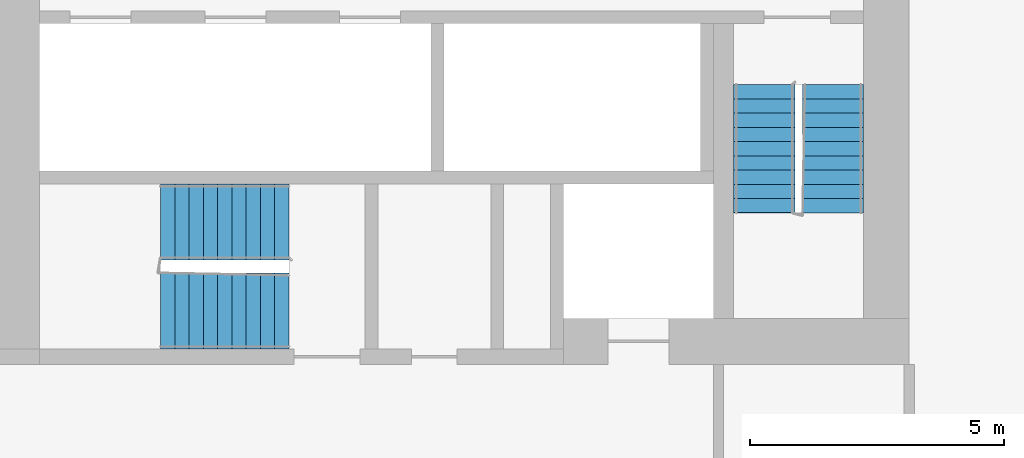
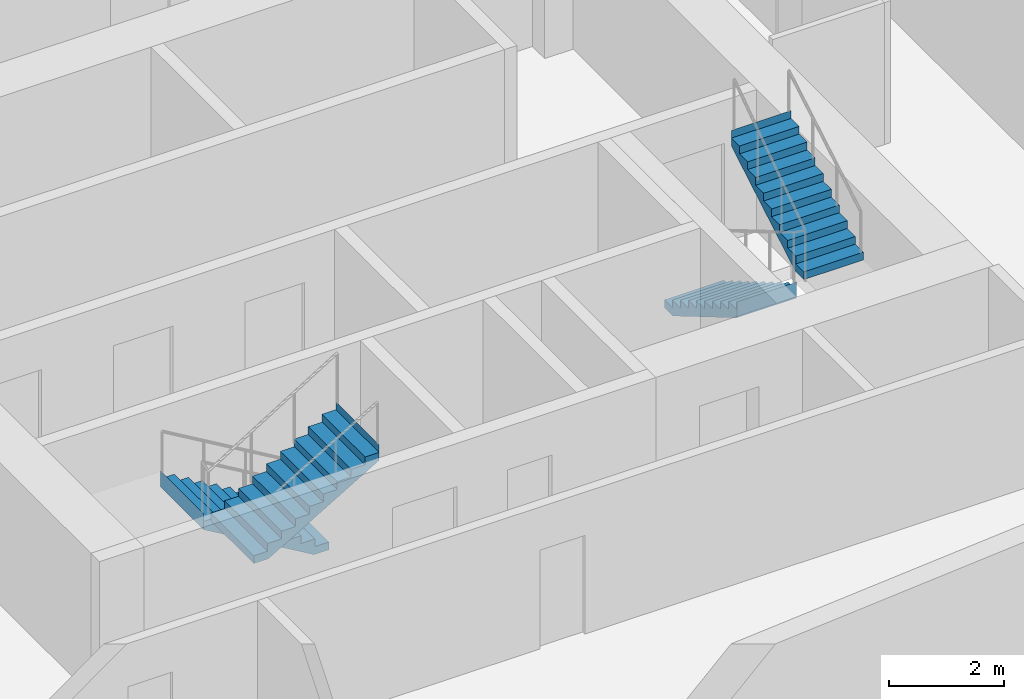
# One storey, part 9 of 12: 4 stair flights, 2 elements without a shape of their own.
"""IFC4 building model written with IfcOpenShell, lengths in metres."""

import ifcopenshell
import ifcopenshell.guid

model = None  # the IFC model being written
_history = None  # IfcOwnerHistory: only IFC2X3 demands one
_inside = {}  # id of a spatial element -> (the spatial element, [elements in it])
_under = {}  # id of a project, library or spatial element -> (it, [spatial elements below it])
_declared = {}  # id of a project -> (the project, [libraries it declares])
_typed = {}  # id of a type object -> (the type object, [elements of that type])
_made_of = {}  # id of a material, layer set ... -> (it, [elements and type objects made of it])


def new_model(schema):
    """Start an empty IFC model of exactly this schema.

    Asked for "IFC4X3", IfcOpenShell would pick the latest addendum, in which some entities
    have other attributes; the version numbers below select the first issue.
    IFC2X3 requires an IfcOwnerHistory on every rooted entity: one is made here for all.
    """
    global model, _history
    if schema == "IFC4X3":
        model = ifcopenshell.file(schema_version=(4, 3, 0, 0))
    else:
        model = ifcopenshell.file(schema=schema)
    _inside.clear()
    _under.clear()
    _declared.clear()
    _typed.clear()
    _made_of.clear()
    _history = None
    if model.schema == "IFC2X3":
        org = make("IfcOrganization", Name="unknown")
        user = make(
            "IfcPersonAndOrganization",
            ThePerson=make("IfcPerson", FamilyName="unknown"),
            TheOrganization=org,
        )
        app = make(
            "IfcApplication",
            ApplicationDeveloper=org,
            Version="unknown",
            ApplicationFullName="unknown",
            ApplicationIdentifier="unknown",
        )
        _history = make(
            "IfcOwnerHistory",
            OwningUser=user,
            OwningApplication=app,
            ChangeAction="ADDED",
            CreationDate=0,
        )
    return model


def make(cls, **values):
    """One entity of the class cls with the attributes given. An attribute that is None is left unset."""
    return model.create_entity(
        cls, **{name: value for name, value in values.items() if value is not None}
    )


def rooted(cls, **values):
    """An entity with a GlobalId (a new one), such as an element, a storey or a relation."""
    return make(cls, GlobalId=ifcopenshell.guid.new(), OwnerHistory=_history, **values)


def si_unit(unit_type, name, prefix=None):
    """IfcSIUnit, for example si_unit("LENGTHUNIT", "METRE", prefix="MILLI")."""
    return make("IfcSIUnit", UnitType=unit_type, Prefix=prefix, Name=name)


def assignment(units):
    """IfcUnitAssignment: the units of a project."""
    return None if units is None else make("IfcUnitAssignment", Units=units)


def point(xyz):
    """IfcCartesianPoint."""
    return None if xyz is None else make("IfcCartesianPoint", Coordinates=xyz)


def direction(xyz):
    """IfcDirection."""
    return None if xyz is None else make("IfcDirection", DirectionRatios=xyz)


def frame(location, z_axis=None, x_axis=None):
    """IfcAxis2Placement3D, a coordinate frame: its origin and axes. An axis left out is left unset."""
    return make(
        "IfcAxis2Placement3D",
        Location=point(location),
        Axis=direction(z_axis),
        RefDirection=direction(x_axis),
    )


def origin():
    """The frame at (0, 0, 0) with its axes left unset."""
    return frame((0.0, 0.0, 0.0))


def place(relative_to, where):
    """IfcLocalPlacement: puts the frame where relative to a parent placement (None: the world)."""
    return make(
        "IfcLocalPlacement", PlacementRelTo=relative_to, RelativePlacement=where
    )


def context(
    kind, dimensions, precision=None, world=None, true_north=None, identifier=None
):
    """IfcGeometricRepresentationContext, for example the 3D "Model" context."""
    return make(
        "IfcGeometricRepresentationContext",
        ContextIdentifier=identifier,
        ContextType=kind,
        CoordinateSpaceDimension=dimensions,
        Precision=precision,
        WorldCoordinateSystem=world,
        TrueNorth=true_north,
    )


def subcontext(parent, identifier, kind, view, scale=None):
    """IfcGeometricRepresentationSubContext, for example "Body" below "Model"."""
    return make(
        "IfcGeometricRepresentationSubContext",
        ContextIdentifier=identifier,
        ContextType=kind,
        ParentContext=parent,
        TargetScale=scale,
        TargetView=view,
    )


def project(units=None, contexts=None):
    """IfcProject with its units and contexts."""
    return rooted(
        "IfcProject",
        Name="project",
        RepresentationContexts=contexts,
        UnitsInContext=assignment(units),
    )


def spatial(cls, under=None, at=None, **own):
    """A site, building, storey or space (cls), placed at a placement, below another one or the project."""
    s = rooted(cls, ObjectPlacement=at, **own)
    if under is not None:
        _under.setdefault(under.id(), (under, []))[1].append(s)
    return s


def faces_of(points, faces, orient=None, outer=None):
    """IfcFace entities. A face is a list of loops; a loop is a list of indices into points, from 0.

    orient and outer hold one flag for each loop. By default every Orientation is true, the
    first loop of a face is its IfcFaceOuterBound and the others are IfcFaceBound.
    """
    made = []
    for i, loops in enumerate(faces):
        bounds = []
        for j, loop in enumerate(loops):
            is_outer = j == 0 if outer is None else outer[i][j]
            bounds.append(
                make(
                    "IfcFaceOuterBound" if is_outer else "IfcFaceBound",
                    Bound=make("IfcPolyLoop", Polygon=[points[k] for k in loop]),
                    Orientation=True if orient is None else orient[i][j],
                )
            )
        made.append(make("IfcFace", Bounds=bounds))
    return made


def faceted_brep(points, faces, orient=None, outer=None, voids=None):
    """IfcFacetedBrep: a solid bounded by flat faces; with voids (closed shells), ...WithVoids."""
    shared = [point(p) for p in points]
    hull = make("IfcClosedShell", CfsFaces=faces_of(shared, faces, orient, outer))
    if voids is None:
        return make("IfcFacetedBrep", Outer=hull)
    return make(
        "IfcFacetedBrepWithVoids",
        Outer=hull,
        Voids=[
            make(cls, CfsFaces=faces_of(shared, fs, o, b)) for cls, fs, o, b in voids
        ],
    )


def shape(context_of_items, identifier, shape_type, items):
    """IfcShapeRepresentation: the items that make up one representation, for example the "Body"."""
    return make(
        "IfcShapeRepresentation",
        ContextOfItems=context_of_items,
        RepresentationIdentifier=identifier,
        RepresentationType=shape_type,
        Items=items,
    )


def material(Name=None, Category=None):
    """IfcMaterial."""
    return make("IfcMaterial", Name=Name, Category=Category)


def made_of(thing, what):
    """Note that an element or type object is made of a material, layer set ...; save() writes the relation."""
    if what is not None:
        _made_of.setdefault(what.id(), (what, []))[1].append(thing)
    return thing


def type_object(cls, material=None, **own):
    """A type object (cls), such as IfcWallType, which elements share."""
    return made_of(rooted(cls, **own), material)


def element(
    cls,
    number,
    at=None,
    inside=None,
    cuts=None,
    type_object=None,
    material=None,
    context=None,
    identifier="Body",
    shape_type=None,
    held_by="IfcProductDefinitionShape",
    body=None,
    shapes=None,
    **own,
):
    """One element of the class cls, such as IfcWall. Its Tag is "e" and its number.

    at: its placement. inside: the storey or other place that contains it. cuts: it is an
    opening in that element (IfcRelVoidsElement). A single representation is given by context,
    identifier, shape_type and body (its items); several are given by shapes. held_by: the class
    of the entity that holds the representations. save() writes the other relations.
    """
    e = rooted(cls, Tag="e%d" % number, ObjectPlacement=at, **own)
    if body is not None:
        shapes = [shape(context, identifier, shape_type, body)]
    if shapes is not None:
        e.Representation = make(held_by, Representations=shapes)
    if inside is not None:
        _inside.setdefault(inside.id(), (inside, []))[1].append(e)
    if cuts is not None:
        rooted(
            "IfcRelVoidsElement", RelatingBuildingElement=cuts, RelatedOpeningElement=e
        )
    if type_object is not None:
        _typed.setdefault(type_object.id(), (type_object, []))[1].append(e)
    return made_of(e, material)


def aggregate(whole, parts):
    """IfcRelAggregates: a whole, such as a stair, and the parts it consists of."""
    return rooted("IfcRelAggregates", RelatingObject=whole, RelatedObjects=parts)


def save(model, path):
    """Write the relations noted so far, then the file.

    IfcRelAggregates (storeys below a building ...), IfcRelContainedInSpatialStructure (elements
    in a storey), IfcRelDefinesByType, IfcRelAssociatesMaterial and IfcRelDeclares: one each for
    every whole, place, type object, material and project.
    """
    for whole, parts in _under.values():
        aggregate(whole, parts)
    for where, things in _inside.values():
        rooted(
            "IfcRelContainedInSpatialStructure",
            RelatedElements=things,
            RelatingStructure=where,
        )
    for kind, things in _typed.values():
        rooted("IfcRelDefinesByType", RelatedObjects=things, RelatingType=kind)
    for what, things in _made_of.values():
        rooted("IfcRelAssociatesMaterial", RelatedObjects=things, RelatingMaterial=what)
    for by, libraries in _declared.values():
        rooted("IfcRelDeclares", RelatingContext=by, RelatedDefinitions=libraries)
    model.write(path)


model = new_model("IFC4")

# Units and contexts
model_context = context("Model", 3, precision=1e-05, world=origin(), true_north=direction((0.0, 1.0)))
body_context = subcontext(model_context, "Body", "Model", "MODEL_VIEW")
ifc_project = project(units=[si_unit("LENGTHUNIT", "METRE"), si_unit("AREAUNIT", "SQUARE_METRE"), si_unit("VOLUMEUNIT", "CUBIC_METRE"), si_unit("PLANEANGLEUNIT", "RADIAN"), si_unit("MASSUNIT", "GRAM", prefix="KILO")], contexts=[model_context])

# Site, building, storey
site_placement = place(None, origin())
site = spatial("IfcSite", under=ifc_project, at=site_placement, CompositionType="ELEMENT")
building_placement = place(site_placement, origin())
building = spatial("IfcBuilding", under=site, at=building_placement, Name="Kajstack Hotel Tower", CompositionType="ELEMENT")
storey_placement = place(building_placement, frame((0.0, 0.0, 137.199951171875)))
storey = spatial("IfcBuildingStorey", under=building, at=storey_placement, Name="L31", CompositionType="ELEMENT", Elevation=137.199951171875)

# Stair, stair flights
ifc_material = material(Name="Concrete C40/50", Category="concrete")
stair_type_1 = type_object("IfcStairType", Name="Exit stair 1200", PredefinedType="HALF_TURN_STAIR", material=ifc_material)
stair_1_placement = place(storey_placement, origin())
stair_1 = element("IfcStair", 1, at=stair_1_placement, inside=storey, type_object=stair_type_1, Name="L31 stair W2", PredefinedType="HALF_TURN_STAIR")
stair_flight_type_1 = type_object("IfcStairFlightType", Name="Exit stair flight 1200", PredefinedType="STRAIGHT", material=ifc_material)
stair_flight_1_placement = place(storey_placement, frame((-16.35009765625, -10.0, 0.0), z_axis=(0.0, 0.0, 1.0), x_axis=(0.0, -1.0, 0.0)))
stair_flight_1 = element("IfcStairFlight", 2, at=stair_flight_1_placement, type_object=stair_flight_type_1, Name="W2 flight 1", NumberOfRisers=10, NumberOfTreads=9, PredefinedType="STRAIGHT", RiserHeight=0.165, TreadLength=0.28, context=body_context, shape_type="Brep", body=[
    faceted_brep([(0.295654296875, -0.60009765625, 0.0), (2.5205078125, -0.60009765625, 1.31103515625), (2.5205078125, -0.60009765625, 1.64990234375), (2.52001953125, -0.60009765625, 1.64990234375), (2.52001953125, -0.60009765625, 1.485107421875), (2.239990234375, -0.60009765625, 1.485107421875), (2.239990234375, -0.60009765625, 1.320068359375), (1.9599609375, -0.60009765625, 1.320068359375), (1.9599609375, -0.60009765625, 1.155029296875), (1.679931640625, -0.60009765625, 1.155029296875), (1.679931640625, -0.60009765625, 0.989990234375), (1.39990234375, -0.60009765625, 0.989990234375), (1.39990234375, -0.60009765625, 0.824951171875), (1.1201171875, -0.60009765625, 0.824951171875), (1.1201171875, -0.60009765625, 0.659912109375), (0.840087890625, -0.60009765625, 0.659912109375), (0.840087890625, -0.60009765625, 0.4951171875), (0.56005859375, -0.60009765625, 0.4951171875), (0.56005859375, -0.60009765625, 0.330078125), (0.280029296875, -0.60009765625, 0.330078125), (0.280029296875, -0.60009765625, 0.1650390625), (-0.00048828125, -0.60009765625, 0.1650390625), (-0.00048828125, -0.60009765625, 0.0), (-0.00048828125, 0.60009765625, 0.0), (-0.00048828125, 0.60009765625, 0.1650390625), (0.280029296875, 0.60009765625, 0.1650390625), (0.280029296875, 0.60009765625, 0.330078125), (0.56005859375, 0.60009765625, 0.330078125), (0.56005859375, 0.60009765625, 0.4951171875), (0.840087890625, 0.60009765625, 0.4951171875), (0.840087890625, 0.60009765625, 0.659912109375), (1.1201171875, 0.60009765625, 0.659912109375), (1.1201171875, 0.60009765625, 0.824951171875), (1.39990234375, 0.60009765625, 0.824951171875), (1.39990234375, 0.60009765625, 0.989990234375), (1.679931640625, 0.60009765625, 0.989990234375), (1.679931640625, 0.60009765625, 1.155029296875), (1.9599609375, 0.60009765625, 1.155029296875), (1.9599609375, 0.60009765625, 1.320068359375), (2.239990234375, 0.60009765625, 1.320068359375), (2.239990234375, 0.60009765625, 1.485107421875), (2.52001953125, 0.60009765625, 1.485107421875), (2.52001953125, 0.60009765625, 1.64990234375), (2.5205078125, 0.60009765625, 1.64990234375), (2.5205078125, 0.60009765625, 1.31103515625), (0.295654296875, 0.60009765625, 0.0), (-0.00048828125, -0.300048828125, 0.1650390625), (-0.00048828125, 0.0, 0.1650390625), (-0.00048828125, 0.300048828125, 0.1650390625), (-0.00048828125, 0.300048828125, 0.0), (-0.00048828125, 0.0, 0.0), (-0.00048828125, -0.300048828125, 0.0), (0.280029296875, -0.300048828125, 0.1650390625), (0.280029296875, 0.0, 0.1650390625), (0.280029296875, 0.300048828125, 0.1650390625), (0.280029296875, -0.300048828125, 0.330078125), (0.280029296875, 0.0, 0.330078125), (0.280029296875, 0.300048828125, 0.330078125), (0.56005859375, -0.300048828125, 0.330078125), (0.56005859375, 0.0, 0.330078125), (0.56005859375, 0.300048828125, 0.330078125), (0.56005859375, -0.300048828125, 0.4951171875), (0.56005859375, 0.0, 0.4951171875), (0.56005859375, 0.300048828125, 0.4951171875), (0.840087890625, -0.300048828125, 0.4951171875), (0.840087890625, 0.0, 0.4951171875), (0.840087890625, 0.300048828125, 0.4951171875), (0.840087890625, -0.300048828125, 0.659912109375), (0.840087890625, 0.0, 0.659912109375), (0.840087890625, 0.300048828125, 0.659912109375), (1.1201171875, -0.300048828125, 0.659912109375), (1.1201171875, 0.0, 0.659912109375), (1.1201171875, 0.300048828125, 0.659912109375), (1.1201171875, -0.300048828125, 0.824951171875), (1.1201171875, 0.0, 0.824951171875), (1.1201171875, 0.300048828125, 0.824951171875), (1.39990234375, -0.300048828125, 0.824951171875), (1.39990234375, 0.0, 0.824951171875), (1.39990234375, 0.300048828125, 0.824951171875), (1.39990234375, -0.300048828125, 0.989990234375), (1.39990234375, 0.0, 0.989990234375), (1.39990234375, 0.300048828125, 0.989990234375), (1.679931640625, -0.300048828125, 0.989990234375), (1.679931640625, 0.0, 0.989990234375), (1.679931640625, 0.300048828125, 0.989990234375), (1.679931640625, -0.300048828125, 1.155029296875), (1.679931640625, 0.0, 1.155029296875), (1.679931640625, 0.300048828125, 1.155029296875), (1.9599609375, -0.300048828125, 1.155029296875), (1.9599609375, 0.0, 1.155029296875), (1.9599609375, 0.300048828125, 1.155029296875), (1.9599609375, -0.300048828125, 1.320068359375), (1.9599609375, 0.0, 1.320068359375), (1.9599609375, 0.300048828125, 1.320068359375), (2.239990234375, -0.300048828125, 1.320068359375), (2.239990234375, 0.0, 1.320068359375), (2.239990234375, 0.300048828125, 1.320068359375), (2.239990234375, -0.300048828125, 1.485107421875), (2.239990234375, 0.0, 1.485107421875), (2.239990234375, 0.300048828125, 1.485107421875), (2.52001953125, -0.300048828125, 1.485107421875), (2.52001953125, 0.0, 1.485107421875), (2.52001953125, 0.300048828125, 1.485107421875), (2.52001953125, -0.300048828125, 1.64990234375), (2.52001953125, 0.0, 1.64990234375), (2.52001953125, 0.300048828125, 1.64990234375), (2.5205078125, -0.300048828125, 1.64990234375), (2.5205078125, 0.0, 1.64990234375), (2.5205078125, 0.300048828125, 1.64990234375), (2.5205078125, -0.300048828125, 1.31103515625), (2.5205078125, 0.0, 1.31103515625), (2.5205078125, 0.300048828125, 1.31103515625), (0.295654296875, -0.300048828125, 0.0), (0.295654296875, 0.0, 0.0), (0.295654296875, 0.300048828125, 0.0)], [[[0, 1, 2, 3, 4, 5, 6, 7, 8, 9, 10, 11, 12, 13, 14, 15, 16, 17, 18, 19, 20, 21, 22]], [[23, 24, 25, 26, 27, 28, 29, 30, 31, 32, 33, 34, 35, 36, 37, 38, 39, 40, 41, 42, 43, 44, 45]], [[21, 46, 47, 48, 24, 23, 49, 50, 51, 22]], [[20, 52, 53, 54, 25, 24, 48, 47, 46, 21]], [[19, 55, 56, 57, 26, 25, 54, 53, 52, 20]], [[18, 58, 59, 60, 27, 26, 57, 56, 55, 19]], [[17, 61, 62, 63, 28, 27, 60, 59, 58, 18]], [[16, 64, 65, 66, 29, 28, 63, 62, 61, 17]], [[15, 67, 68, 69, 30, 29, 66, 65, 64, 16]], [[14, 70, 71, 72, 31, 30, 69, 68, 67, 15]], [[13, 73, 74, 75, 32, 31, 72, 71, 70, 14]], [[12, 76, 77, 78, 33, 32, 75, 74, 73, 13]], [[11, 79, 80, 81, 34, 33, 78, 77, 76, 12]], [[10, 82, 83, 84, 35, 34, 81, 80, 79, 11]], [[9, 85, 86, 87, 36, 35, 84, 83, 82, 10]], [[8, 88, 89, 90, 37, 36, 87, 86, 85, 9]], [[7, 91, 92, 93, 38, 37, 90, 89, 88, 8]], [[6, 94, 95, 96, 39, 38, 93, 92, 91, 7]], [[5, 97, 98, 99, 40, 39, 96, 95, 94, 6]], [[4, 100, 101, 102, 41, 40, 99, 98, 97, 5]], [[3, 103, 104, 105, 42, 41, 102, 101, 100, 4]], [[2, 106, 107, 108, 43, 42, 105, 104, 103, 3]], [[1, 109, 110, 111, 44, 43, 108, 107, 106, 2]], [[0, 112, 113, 114, 45, 44, 111, 110, 109, 1]], [[22, 51, 50, 49, 23, 45, 114, 113, 112, 0]]]),
])
stair_flight_2_placement = place(storey_placement, frame((-15.0, -12.52001953125, 1.650146484375), z_axis=(0.0, 0.0, 1.0), x_axis=(0.0, 1.0, 0.0)))
stair_flight_2 = element("IfcStairFlight", 3, at=stair_flight_2_placement, type_object=stair_flight_type_1, Name="W2 flight 2", NumberOfRisers=10, NumberOfTreads=9, PredefinedType="STRAIGHT", RiserHeight=0.165, TreadLength=0.28, context=body_context, shape_type="Brep", body=[
    faceted_brep([(0.295654296875, -0.60009765625, 0.0), (2.5205078125, -0.60009765625, 1.31103515625), (2.5205078125, -0.60009765625, 1.64990234375), (2.52001953125, -0.60009765625, 1.64990234375), (2.52001953125, -0.60009765625, 1.485107421875), (2.239990234375, -0.60009765625, 1.485107421875), (2.239990234375, -0.60009765625, 1.320068359375), (1.9599609375, -0.60009765625, 1.320068359375), (1.9599609375, -0.60009765625, 1.155029296875), (1.679931640625, -0.60009765625, 1.155029296875), (1.679931640625, -0.60009765625, 0.989990234375), (1.39990234375, -0.60009765625, 0.989990234375), (1.39990234375, -0.60009765625, 0.824951171875), (1.1201171875, -0.60009765625, 0.824951171875), (1.1201171875, -0.60009765625, 0.659912109375), (0.840087890625, -0.60009765625, 0.659912109375), (0.840087890625, -0.60009765625, 0.4951171875), (0.56005859375, -0.60009765625, 0.4951171875), (0.56005859375, -0.60009765625, 0.330078125), (0.280029296875, -0.60009765625, 0.330078125), (0.280029296875, -0.60009765625, 0.1650390625), (-0.00048828125, -0.60009765625, 0.1650390625), (-0.00048828125, -0.60009765625, 0.0), (-0.00048828125, 0.60009765625, 0.0), (-0.00048828125, 0.60009765625, 0.1650390625), (0.280029296875, 0.60009765625, 0.1650390625), (0.280029296875, 0.60009765625, 0.330078125), (0.56005859375, 0.60009765625, 0.330078125), (0.56005859375, 0.60009765625, 0.4951171875), (0.840087890625, 0.60009765625, 0.4951171875), (0.840087890625, 0.60009765625, 0.659912109375), (1.1201171875, 0.60009765625, 0.659912109375), (1.1201171875, 0.60009765625, 0.824951171875), (1.39990234375, 0.60009765625, 0.824951171875), (1.39990234375, 0.60009765625, 0.989990234375), (1.679931640625, 0.60009765625, 0.989990234375), (1.679931640625, 0.60009765625, 1.155029296875), (1.9599609375, 0.60009765625, 1.155029296875), (1.9599609375, 0.60009765625, 1.320068359375), (2.239990234375, 0.60009765625, 1.320068359375), (2.239990234375, 0.60009765625, 1.485107421875), (2.52001953125, 0.60009765625, 1.485107421875), (2.52001953125, 0.60009765625, 1.64990234375), (2.5205078125, 0.60009765625, 1.64990234375), (2.5205078125, 0.60009765625, 1.31103515625), (0.295654296875, 0.60009765625, 0.0), (-0.00048828125, -0.300048828125, 0.1650390625), (-0.00048828125, 0.0, 0.1650390625), (-0.00048828125, 0.300048828125, 0.1650390625), (-0.00048828125, 0.300048828125, 0.0), (-0.00048828125, 0.0, 0.0), (-0.00048828125, -0.300048828125, 0.0), (0.280029296875, -0.300048828125, 0.1650390625), (0.280029296875, 0.0, 0.1650390625), (0.280029296875, 0.300048828125, 0.1650390625), (0.280029296875, -0.300048828125, 0.330078125), (0.280029296875, 0.0, 0.330078125), (0.280029296875, 0.300048828125, 0.330078125), (0.56005859375, -0.300048828125, 0.330078125), (0.56005859375, 0.0, 0.330078125), (0.56005859375, 0.300048828125, 0.330078125), (0.56005859375, -0.300048828125, 0.4951171875), (0.56005859375, 0.0, 0.4951171875), (0.56005859375, 0.300048828125, 0.4951171875), (0.840087890625, -0.300048828125, 0.4951171875), (0.840087890625, 0.0, 0.4951171875), (0.840087890625, 0.300048828125, 0.4951171875), (0.840087890625, -0.300048828125, 0.659912109375), (0.840087890625, 0.0, 0.659912109375), (0.840087890625, 0.300048828125, 0.659912109375), (1.1201171875, -0.300048828125, 0.659912109375), (1.1201171875, 0.0, 0.659912109375), (1.1201171875, 0.300048828125, 0.659912109375), (1.1201171875, -0.300048828125, 0.824951171875), (1.1201171875, 0.0, 0.824951171875), (1.1201171875, 0.300048828125, 0.824951171875), (1.39990234375, -0.300048828125, 0.824951171875), (1.39990234375, 0.0, 0.824951171875), (1.39990234375, 0.300048828125, 0.824951171875), (1.39990234375, -0.300048828125, 0.989990234375), (1.39990234375, 0.0, 0.989990234375), (1.39990234375, 0.300048828125, 0.989990234375), (1.679931640625, -0.300048828125, 0.989990234375), (1.679931640625, 0.0, 0.989990234375), (1.679931640625, 0.300048828125, 0.989990234375), (1.679931640625, -0.300048828125, 1.155029296875), (1.679931640625, 0.0, 1.155029296875), (1.679931640625, 0.300048828125, 1.155029296875), (1.9599609375, -0.300048828125, 1.155029296875), (1.9599609375, 0.0, 1.155029296875), (1.9599609375, 0.300048828125, 1.155029296875), (1.9599609375, -0.300048828125, 1.320068359375), (1.9599609375, 0.0, 1.320068359375), (1.9599609375, 0.300048828125, 1.320068359375), (2.239990234375, -0.300048828125, 1.320068359375), (2.239990234375, 0.0, 1.320068359375), (2.239990234375, 0.300048828125, 1.320068359375), (2.239990234375, -0.300048828125, 1.485107421875), (2.239990234375, 0.0, 1.485107421875), (2.239990234375, 0.300048828125, 1.485107421875), (2.52001953125, -0.300048828125, 1.485107421875), (2.52001953125, 0.0, 1.485107421875), (2.52001953125, 0.300048828125, 1.485107421875), (2.52001953125, -0.300048828125, 1.64990234375), (2.52001953125, 0.0, 1.64990234375), (2.52001953125, 0.300048828125, 1.64990234375), (2.5205078125, -0.300048828125, 1.64990234375), (2.5205078125, 0.0, 1.64990234375), (2.5205078125, 0.300048828125, 1.64990234375), (2.5205078125, -0.300048828125, 1.31103515625), (2.5205078125, 0.0, 1.31103515625), (2.5205078125, 0.300048828125, 1.31103515625), (0.295654296875, -0.300048828125, 0.0), (0.295654296875, 0.0, 0.0), (0.295654296875, 0.300048828125, 0.0)], [[[0, 1, 2, 3, 4, 5, 6, 7, 8, 9, 10, 11, 12, 13, 14, 15, 16, 17, 18, 19, 20, 21, 22]], [[23, 24, 25, 26, 27, 28, 29, 30, 31, 32, 33, 34, 35, 36, 37, 38, 39, 40, 41, 42, 43, 44, 45]], [[21, 46, 47, 48, 24, 23, 49, 50, 51, 22]], [[20, 52, 53, 54, 25, 24, 48, 47, 46, 21]], [[19, 55, 56, 57, 26, 25, 54, 53, 52, 20]], [[18, 58, 59, 60, 27, 26, 57, 56, 55, 19]], [[17, 61, 62, 63, 28, 27, 60, 59, 58, 18]], [[16, 64, 65, 66, 29, 28, 63, 62, 61, 17]], [[15, 67, 68, 69, 30, 29, 66, 65, 64, 16]], [[14, 70, 71, 72, 31, 30, 69, 68, 67, 15]], [[13, 73, 74, 75, 32, 31, 72, 71, 70, 14]], [[12, 76, 77, 78, 33, 32, 75, 74, 73, 13]], [[11, 79, 80, 81, 34, 33, 78, 77, 76, 12]], [[10, 82, 83, 84, 35, 34, 81, 80, 79, 11]], [[9, 85, 86, 87, 36, 35, 84, 83, 82, 10]], [[8, 88, 89, 90, 37, 36, 87, 86, 85, 9]], [[7, 91, 92, 93, 38, 37, 90, 89, 88, 8]], [[6, 94, 95, 96, 39, 38, 93, 92, 91, 7]], [[5, 97, 98, 99, 40, 39, 96, 95, 94, 6]], [[4, 100, 101, 102, 41, 40, 99, 98, 97, 5]], [[3, 103, 104, 105, 42, 41, 102, 101, 100, 4]], [[2, 106, 107, 108, 43, 42, 105, 104, 103, 3]], [[1, 109, 110, 111, 44, 43, 108, 107, 106, 2]], [[0, 112, 113, 114, 45, 44, 111, 110, 109, 1]], [[22, 51, 50, 49, 23, 45, 114, 113, 112, 0]]]),
])
aggregate(stair_1, [stair_flight_1, stair_flight_2])

stair_type_2 = type_object("IfcStairType", Name="Exit stair 1500", PredefinedType="HALF_TURN_STAIR", material=ifc_material)
stair_2_placement = place(storey_placement, origin())
stair_2 = element("IfcStair", 4, at=stair_2_placement, inside=storey, type_object=stair_type_2, Name="L31 stair W3", PredefinedType="HALF_TURN_STAIR")
stair_flight_type_2 = type_object("IfcStairFlightType", Name="Exit stair flight 1500", PredefinedType="STRAIGHT", material=ifc_material)
stair_flight_3_placement = place(storey_placement, frame((-25.699951171875, -12.699951171875, 0.0), z_axis=(0.0, 0.0, 1.0), x_axis=(-1.0, 0.0, 0.0)))
stair_flight_3 = element("IfcStairFlight", 5, at=stair_flight_3_placement, type_object=stair_flight_type_2, Name="W3 flight 1", NumberOfRisers=10, NumberOfTreads=9, PredefinedType="STRAIGHT", RiserHeight=0.165, TreadLength=0.28, context=body_context, shape_type="Brep", body=[
    faceted_brep([(0.295654296875, -0.75, 0.0), (2.5205078125, -0.75, 1.31103515625), (2.5205078125, -0.75, 1.64990234375), (2.52001953125, -0.75, 1.64990234375), (2.52001953125, -0.75, 1.485107421875), (2.239990234375, -0.75, 1.485107421875), (2.239990234375, -0.75, 1.320068359375), (1.9599609375, -0.75, 1.320068359375), (1.9599609375, -0.75, 1.155029296875), (1.679931640625, -0.75, 1.155029296875), (1.679931640625, -0.75, 0.989990234375), (1.39990234375, -0.75, 0.989990234375), (1.39990234375, -0.75, 0.824951171875), (1.1201171875, -0.75, 0.824951171875), (1.1201171875, -0.75, 0.659912109375), (0.840087890625, -0.75, 0.659912109375), (0.840087890625, -0.75, 0.4951171875), (0.56005859375, -0.75, 0.4951171875), (0.56005859375, -0.75, 0.330078125), (0.280029296875, -0.75, 0.330078125), (0.280029296875, -0.75, 0.1650390625), (-0.00048828125, -0.75, 0.1650390625), (-0.00048828125, -0.75, 0.0), (-0.00048828125, 0.75, 0.0), (-0.00048828125, 0.75, 0.1650390625), (0.280029296875, 0.75, 0.1650390625), (0.280029296875, 0.75, 0.330078125), (0.56005859375, 0.75, 0.330078125), (0.56005859375, 0.75, 0.4951171875), (0.840087890625, 0.75, 0.4951171875), (0.840087890625, 0.75, 0.659912109375), (1.1201171875, 0.75, 0.659912109375), (1.1201171875, 0.75, 0.824951171875), (1.39990234375, 0.75, 0.824951171875), (1.39990234375, 0.75, 0.989990234375), (1.679931640625, 0.75, 0.989990234375), (1.679931640625, 0.75, 1.155029296875), (1.9599609375, 0.75, 1.155029296875), (1.9599609375, 0.75, 1.320068359375), (2.239990234375, 0.75, 1.320068359375), (2.239990234375, 0.75, 1.485107421875), (2.52001953125, 0.75, 1.485107421875), (2.52001953125, 0.75, 1.64990234375), (2.5205078125, 0.75, 1.64990234375), (2.5205078125, 0.75, 1.31103515625), (0.295654296875, 0.75, 0.0), (-0.00048828125, -0.375, 0.1650390625), (-0.00048828125, 0.0, 0.1650390625), (-0.00048828125, 0.375, 0.1650390625), (-0.00048828125, 0.375, 0.0), (-0.00048828125, 0.0, 0.0), (-0.00048828125, -0.375, 0.0), (0.280029296875, -0.375, 0.1650390625), (0.280029296875, 0.0, 0.1650390625), (0.280029296875, 0.375, 0.1650390625), (0.280029296875, -0.375, 0.330078125), (0.280029296875, 0.0, 0.330078125), (0.280029296875, 0.375, 0.330078125), (0.56005859375, -0.375, 0.330078125), (0.56005859375, 0.0, 0.330078125), (0.56005859375, 0.375, 0.330078125), (0.56005859375, -0.375, 0.4951171875), (0.56005859375, 0.0, 0.4951171875), (0.56005859375, 0.375, 0.4951171875), (0.840087890625, -0.375, 0.4951171875), (0.840087890625, 0.0, 0.4951171875), (0.840087890625, 0.375, 0.4951171875), (0.840087890625, -0.375, 0.659912109375), (0.840087890625, 0.0, 0.659912109375), (0.840087890625, 0.375, 0.659912109375), (1.1201171875, -0.375, 0.659912109375), (1.1201171875, 0.0, 0.659912109375), (1.1201171875, 0.375, 0.659912109375), (1.1201171875, -0.375, 0.824951171875), (1.1201171875, 0.0, 0.824951171875), (1.1201171875, 0.375, 0.824951171875), (1.39990234375, -0.375, 0.824951171875), (1.39990234375, 0.0, 0.824951171875), (1.39990234375, 0.375, 0.824951171875), (1.39990234375, -0.375, 0.989990234375), (1.39990234375, 0.0, 0.989990234375), (1.39990234375, 0.375, 0.989990234375), (1.679931640625, -0.375, 0.989990234375), (1.679931640625, 0.0, 0.989990234375), (1.679931640625, 0.375, 0.989990234375), (1.679931640625, -0.375, 1.155029296875), (1.679931640625, 0.0, 1.155029296875), (1.679931640625, 0.375, 1.155029296875), (1.9599609375, -0.375, 1.155029296875), (1.9599609375, 0.0, 1.155029296875), (1.9599609375, 0.375, 1.155029296875), (1.9599609375, -0.375, 1.320068359375), (1.9599609375, 0.0, 1.320068359375), (1.9599609375, 0.375, 1.320068359375), (2.239990234375, -0.375, 1.320068359375), (2.239990234375, 0.0, 1.320068359375), (2.239990234375, 0.375, 1.320068359375), (2.239990234375, -0.375, 1.485107421875), (2.239990234375, 0.0, 1.485107421875), (2.239990234375, 0.375, 1.485107421875), (2.52001953125, -0.375, 1.485107421875), (2.52001953125, 0.0, 1.485107421875), (2.52001953125, 0.375, 1.485107421875), (2.52001953125, -0.375, 1.64990234375), (2.52001953125, 0.0, 1.64990234375), (2.52001953125, 0.375, 1.64990234375), (2.5205078125, -0.375, 1.64990234375), (2.5205078125, 0.0, 1.64990234375), (2.5205078125, 0.375, 1.64990234375), (2.5205078125, -0.375, 1.31103515625), (2.5205078125, 0.0, 1.31103515625), (2.5205078125, 0.375, 1.31103515625), (0.295654296875, -0.375, 0.0), (0.295654296875, 0.0, 0.0), (0.295654296875, 0.375, 0.0)], [[[0, 1, 2, 3, 4, 5, 6, 7, 8, 9, 10, 11, 12, 13, 14, 15, 16, 17, 18, 19, 20, 21, 22]], [[23, 24, 25, 26, 27, 28, 29, 30, 31, 32, 33, 34, 35, 36, 37, 38, 39, 40, 41, 42, 43, 44, 45]], [[21, 46, 47, 48, 24, 23, 49, 50, 51, 22]], [[20, 52, 53, 54, 25, 24, 48, 47, 46, 21]], [[19, 55, 56, 57, 26, 25, 54, 53, 52, 20]], [[18, 58, 59, 60, 27, 26, 57, 56, 55, 19]], [[17, 61, 62, 63, 28, 27, 60, 59, 58, 18]], [[16, 64, 65, 66, 29, 28, 63, 62, 61, 17]], [[15, 67, 68, 69, 30, 29, 66, 65, 64, 16]], [[14, 70, 71, 72, 31, 30, 69, 68, 67, 15]], [[13, 73, 74, 75, 32, 31, 72, 71, 70, 14]], [[12, 76, 77, 78, 33, 32, 75, 74, 73, 13]], [[11, 79, 80, 81, 34, 33, 78, 77, 76, 12]], [[10, 82, 83, 84, 35, 34, 81, 80, 79, 11]], [[9, 85, 86, 87, 36, 35, 84, 83, 82, 10]], [[8, 88, 89, 90, 37, 36, 87, 86, 85, 9]], [[7, 91, 92, 93, 38, 37, 90, 89, 88, 8]], [[6, 94, 95, 96, 39, 38, 93, 92, 91, 7]], [[5, 97, 98, 99, 40, 39, 96, 95, 94, 6]], [[4, 100, 101, 102, 41, 40, 99, 98, 97, 5]], [[3, 103, 104, 105, 42, 41, 102, 101, 100, 4]], [[2, 106, 107, 108, 43, 42, 105, 104, 103, 3]], [[1, 109, 110, 111, 44, 43, 108, 107, 106, 2]], [[0, 112, 113, 114, 45, 44, 111, 110, 109, 1]], [[22, 51, 50, 49, 23, 45, 114, 113, 112, 0]]]),
])
stair_flight_4_placement = place(storey_placement, frame((-28.219970703125, -14.449951171875, 1.650146484375), z_axis=(0.0, 0.0, 1.0), x_axis=(1.0, 0.0, 0.0)))
stair_flight_4 = element("IfcStairFlight", 6, at=stair_flight_4_placement, type_object=stair_flight_type_2, Name="W3 flight 2", NumberOfRisers=10, NumberOfTreads=9, PredefinedType="STRAIGHT", RiserHeight=0.165, TreadLength=0.28, context=body_context, shape_type="Brep", body=[
    faceted_brep([(0.295654296875, -0.75, 0.0), (2.5205078125, -0.75, 1.31103515625), (2.5205078125, -0.75, 1.64990234375), (2.52001953125, -0.75, 1.64990234375), (2.52001953125, -0.75, 1.485107421875), (2.239990234375, -0.75, 1.485107421875), (2.239990234375, -0.75, 1.320068359375), (1.9599609375, -0.75, 1.320068359375), (1.9599609375, -0.75, 1.155029296875), (1.679931640625, -0.75, 1.155029296875), (1.679931640625, -0.75, 0.989990234375), (1.39990234375, -0.75, 0.989990234375), (1.39990234375, -0.75, 0.824951171875), (1.1201171875, -0.75, 0.824951171875), (1.1201171875, -0.75, 0.659912109375), (0.840087890625, -0.75, 0.659912109375), (0.840087890625, -0.75, 0.4951171875), (0.56005859375, -0.75, 0.4951171875), (0.56005859375, -0.75, 0.330078125), (0.280029296875, -0.75, 0.330078125), (0.280029296875, -0.75, 0.1650390625), (-0.00048828125, -0.75, 0.1650390625), (-0.00048828125, -0.75, 0.0), (-0.00048828125, 0.75, 0.0), (-0.00048828125, 0.75, 0.1650390625), (0.280029296875, 0.75, 0.1650390625), (0.280029296875, 0.75, 0.330078125), (0.56005859375, 0.75, 0.330078125), (0.56005859375, 0.75, 0.4951171875), (0.840087890625, 0.75, 0.4951171875), (0.840087890625, 0.75, 0.659912109375), (1.1201171875, 0.75, 0.659912109375), (1.1201171875, 0.75, 0.824951171875), (1.39990234375, 0.75, 0.824951171875), (1.39990234375, 0.75, 0.989990234375), (1.679931640625, 0.75, 0.989990234375), (1.679931640625, 0.75, 1.155029296875), (1.9599609375, 0.75, 1.155029296875), (1.9599609375, 0.75, 1.320068359375), (2.239990234375, 0.75, 1.320068359375), (2.239990234375, 0.75, 1.485107421875), (2.52001953125, 0.75, 1.485107421875), (2.52001953125, 0.75, 1.64990234375), (2.5205078125, 0.75, 1.64990234375), (2.5205078125, 0.75, 1.31103515625), (0.295654296875, 0.75, 0.0), (-0.00048828125, -0.375, 0.1650390625), (-0.00048828125, 0.0, 0.1650390625), (-0.00048828125, 0.375, 0.1650390625), (-0.00048828125, 0.375, 0.0), (-0.00048828125, 0.0, 0.0), (-0.00048828125, -0.375, 0.0), (0.280029296875, -0.375, 0.1650390625), (0.280029296875, 0.0, 0.1650390625), (0.280029296875, 0.375, 0.1650390625), (0.280029296875, -0.375, 0.330078125), (0.280029296875, 0.0, 0.330078125), (0.280029296875, 0.375, 0.330078125), (0.56005859375, -0.375, 0.330078125), (0.56005859375, 0.0, 0.330078125), (0.56005859375, 0.375, 0.330078125), (0.56005859375, -0.375, 0.4951171875), (0.56005859375, 0.0, 0.4951171875), (0.56005859375, 0.375, 0.4951171875), (0.840087890625, -0.375, 0.4951171875), (0.840087890625, 0.0, 0.4951171875), (0.840087890625, 0.375, 0.4951171875), (0.840087890625, -0.375, 0.659912109375), (0.840087890625, 0.0, 0.659912109375), (0.840087890625, 0.375, 0.659912109375), (1.1201171875, -0.375, 0.659912109375), (1.1201171875, 0.0, 0.659912109375), (1.1201171875, 0.375, 0.659912109375), (1.1201171875, -0.375, 0.824951171875), (1.1201171875, 0.0, 0.824951171875), (1.1201171875, 0.375, 0.824951171875), (1.39990234375, -0.375, 0.824951171875), (1.39990234375, 0.0, 0.824951171875), (1.39990234375, 0.375, 0.824951171875), (1.39990234375, -0.375, 0.989990234375), (1.39990234375, 0.0, 0.989990234375), (1.39990234375, 0.375, 0.989990234375), (1.679931640625, -0.375, 0.989990234375), (1.679931640625, 0.0, 0.989990234375), (1.679931640625, 0.375, 0.989990234375), (1.679931640625, -0.375, 1.155029296875), (1.679931640625, 0.0, 1.155029296875), (1.679931640625, 0.375, 1.155029296875), (1.9599609375, -0.375, 1.155029296875), (1.9599609375, 0.0, 1.155029296875), (1.9599609375, 0.375, 1.155029296875), (1.9599609375, -0.375, 1.320068359375), (1.9599609375, 0.0, 1.320068359375), (1.9599609375, 0.375, 1.320068359375), (2.239990234375, -0.375, 1.320068359375), (2.239990234375, 0.0, 1.320068359375), (2.239990234375, 0.375, 1.320068359375), (2.239990234375, -0.375, 1.485107421875), (2.239990234375, 0.0, 1.485107421875), (2.239990234375, 0.375, 1.485107421875), (2.52001953125, -0.375, 1.485107421875), (2.52001953125, 0.0, 1.485107421875), (2.52001953125, 0.375, 1.485107421875), (2.52001953125, -0.375, 1.64990234375), (2.52001953125, 0.0, 1.64990234375), (2.52001953125, 0.375, 1.64990234375), (2.5205078125, -0.375, 1.64990234375), (2.5205078125, 0.0, 1.64990234375), (2.5205078125, 0.375, 1.64990234375), (2.5205078125, -0.375, 1.31103515625), (2.5205078125, 0.0, 1.31103515625), (2.5205078125, 0.375, 1.31103515625), (0.295654296875, -0.375, 0.0), (0.295654296875, 0.0, 0.0), (0.295654296875, 0.375, 0.0)], [[[0, 1, 2, 3, 4, 5, 6, 7, 8, 9, 10, 11, 12, 13, 14, 15, 16, 17, 18, 19, 20, 21, 22]], [[23, 24, 25, 26, 27, 28, 29, 30, 31, 32, 33, 34, 35, 36, 37, 38, 39, 40, 41, 42, 43, 44, 45]], [[21, 46, 47, 48, 24, 23, 49, 50, 51, 22]], [[20, 52, 53, 54, 25, 24, 48, 47, 46, 21]], [[19, 55, 56, 57, 26, 25, 54, 53, 52, 20]], [[18, 58, 59, 60, 27, 26, 57, 56, 55, 19]], [[17, 61, 62, 63, 28, 27, 60, 59, 58, 18]], [[16, 64, 65, 66, 29, 28, 63, 62, 61, 17]], [[15, 67, 68, 69, 30, 29, 66, 65, 64, 16]], [[14, 70, 71, 72, 31, 30, 69, 68, 67, 15]], [[13, 73, 74, 75, 32, 31, 72, 71, 70, 14]], [[12, 76, 77, 78, 33, 32, 75, 74, 73, 13]], [[11, 79, 80, 81, 34, 33, 78, 77, 76, 12]], [[10, 82, 83, 84, 35, 34, 81, 80, 79, 11]], [[9, 85, 86, 87, 36, 35, 84, 83, 82, 10]], [[8, 88, 89, 90, 37, 36, 87, 86, 85, 9]], [[7, 91, 92, 93, 38, 37, 90, 89, 88, 8]], [[6, 94, 95, 96, 39, 38, 93, 92, 91, 7]], [[5, 97, 98, 99, 40, 39, 96, 95, 94, 6]], [[4, 100, 101, 102, 41, 40, 99, 98, 97, 5]], [[3, 103, 104, 105, 42, 41, 102, 101, 100, 4]], [[2, 106, 107, 108, 43, 42, 105, 104, 103, 3]], [[1, 109, 110, 111, 44, 43, 108, 107, 106, 2]], [[0, 112, 113, 114, 45, 44, 111, 110, 109, 1]], [[22, 51, 50, 49, 23, 45, 114, 113, 112, 0]]]),
])
aggregate(stair_2, [stair_flight_3, stair_flight_4])

save(model, "model.ifc")
